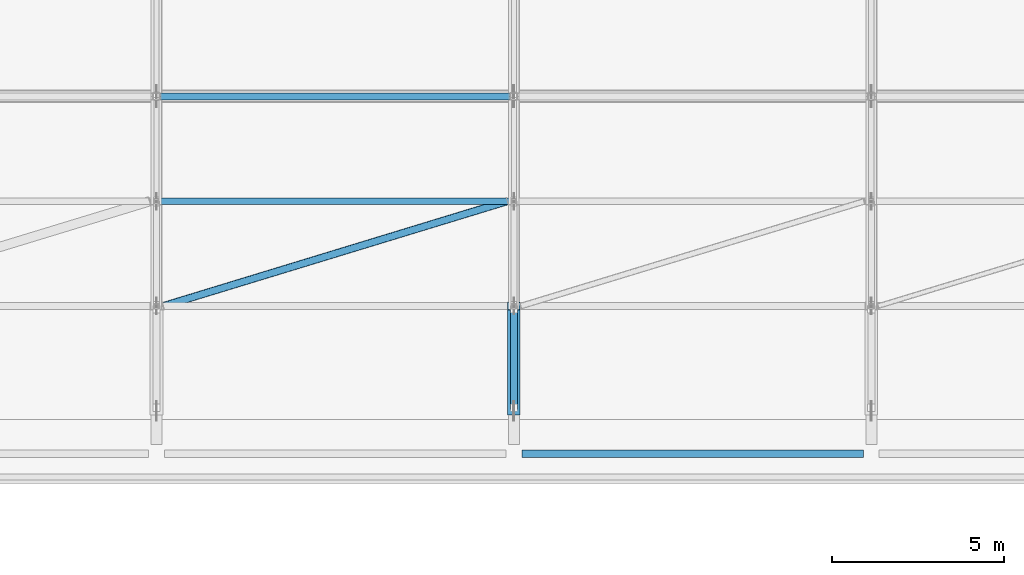
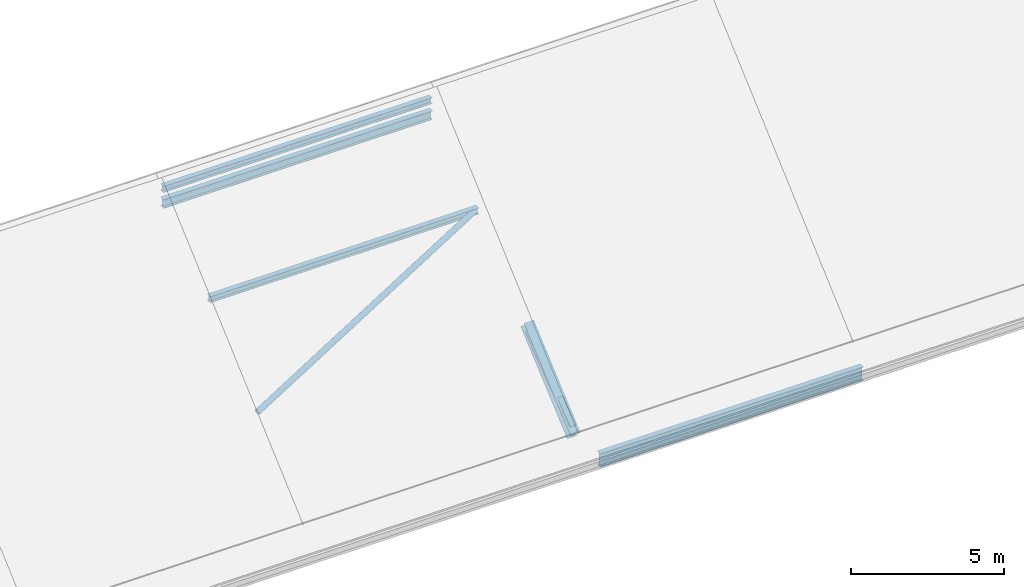
# One storey, part 21 of 86: 4 members, 3 beams.
"""IFC4 building model written with IfcOpenShell, lengths in metres."""

from ifc_helpers import new_model, si_unit, derived_unit, direction, frame, origin, origin_2d, place, context, subcontext, project, spatial, hollow_rectangle, hollow_circle, i_section, extrude, material, material_profile, profile_set, type_object, element, save


model = new_model("IFC4")

# Units and contexts
model_context = context("Model", 3, precision=1e-05, world=origin(), true_north=direction((0.0, 1.0)))
body_context = subcontext(model_context, "Body", "Model", "MODEL_VIEW")
ifc_project = project(units=[si_unit("LENGTHUNIT", "METRE"), si_unit("AREAUNIT", "SQUARE_METRE"), si_unit("VOLUMEUNIT", "CUBIC_METRE"), si_unit("PLANEANGLEUNIT", "RADIAN"), si_unit("MASSUNIT", "GRAM", prefix="KILO"), derived_unit("THERMALTRANSMITTANCEUNIT", [(si_unit("POWERUNIT", "WATT"), 1), (si_unit("LENGTHUNIT", "METRE"), -2), (si_unit("THERMODYNAMICTEMPERATUREUNIT", "KELVIN"), -1)])], contexts=[model_context])

# Site, building, storey
site_placement = place(None, origin())
site = spatial("IfcSite", under=ifc_project, at=site_placement, CompositionType="ELEMENT")
building_placement = place(site_placement, origin())
building = spatial("IfcBuilding", under=site, at=building_placement, Name="Braskholm Square Health Centre", CompositionType="ELEMENT")
storey_placement = place(building_placement, frame((0.0, 0.0, 13.5)))
storey = spatial("IfcBuildingStorey", under=building, at=storey_placement, Name="L04", CompositionType="ELEMENT", Elevation=13.5)

# Member
ifc_material_1 = material(Name="Steel ASTM A500 Grade C", Category="steel")
ifc_material_profile_1 = material_profile(ifc_material_1, hollow_circle(Radius=0.109619140625, WallThickness=0.0087890625, at=origin_2d()), Name="HSS8.625X0.375")
ifc_profile_set_1 = profile_set([ifc_material_profile_1], Name="Steel ASTM A500 Grade C")
member_type_1 = type_object("IfcMemberType", Name="RoofPlanBraceCHS219", PredefinedType="BRACE", material=ifc_profile_set_1)
member_1_placement = place(storey_placement, frame((89.39990234375, 91.5, 2.402099609375), z_axis=(0.925704815743, 0.282344488845, 0.251698596995), x_axis=(-0.291736758099, 0.956498648182, 0.0)))
element("IfcMember", 1, at=member_1_placement, inside=storey, type_object=member_type_1, Name="ROOF TRUSS slope brace South Bay 5", PredefinedType="BRACE", context=body_context, shape_type="SweptSolid", body=[
    extrude(hollow_circle(Radius=0.109619140625, WallThickness=0.0087890625, at=origin_2d()), origin(), (0.0, 0.0, 1.0), 10.802490234375),
])

# Beams
ifc_material_2 = material(Name="Steel ASTM A992 Grade 50", Category="steel")
ifc_material_profile_2 = material_profile(ifc_material_2, i_section(OverallWidth=0.201904296875, OverallDepth=0.2470703125, WebThickness=0.00732421875, FlangeThickness=0.010986328125, at=origin_2d()), Name="W10X33")
ifc_profile_set_2 = profile_set([ifc_material_profile_2], Name="Steel ASTM A992 Grade 50")
beam_type_1 = type_object("IfcBeamType", Name="RoofPurlinJoistW10X33", PredefinedType="JOIST", material=ifc_profile_set_2)
for number, where, z_axis, x_axis, name in (
    (2, (89.320068359375, 94.550048828125, 5.12109375), (1.0, 0.0, 0.0), (0.0, 1.0, 0.0), "ROOF TRUSS purlin joist 022"),
    (3, (89.320068359375, 97.60009765625, 7.679931640625), (1.0, 0.0, 0.0), (0.0, 1.0, 0.0), "ROOF TRUSS purlin joist 023"),
):
    element("IfcBeam", number, at=place(storey_placement, frame(where, z_axis=z_axis, x_axis=x_axis)), inside=storey, type_object=beam_type_1, Name=name, PredefinedType="JOIST", context=body_context, shape_type="SweptSolid", body=[
        extrude(i_section(OverallWidth=0.201904296875, OverallDepth=0.2470703125, WebThickness=0.00732421875, FlangeThickness=0.010986328125, at=origin_2d()), origin(), (0.0, 0.0, 1.0), 10.159912109375),
    ])
ifc_material_profile_3 = material_profile(ifc_material_2, i_section(OverallWidth=0.2119140625, OverallDepth=0.5439453125, WebThickness=0.01318359375, FlangeThickness=0.021240234375, at=origin_2d()), Name="W21X83")
ifc_profile_set_3 = profile_set([ifc_material_profile_3], Name="Steel ASTM A992 Grade 50")
beam_type_2 = type_object("IfcBeamType", Name="SteelGirderEaveW21X83", PredefinedType="BEAM", material=ifc_profile_set_3)
beam_placement = place(storey_placement, frame((99.830078125, 87.199951171875, -0.52197265625), z_axis=(1.0, 0.0, 0.0), x_axis=(0.0, 1.0, 0.0)))
element("IfcBeam", 4, at=beam_placement, inside=storey, type_object=beam_type_2, Name="Beam 13-14/N L04", PredefinedType="BEAM", context=body_context, shape_type="SweptSolid", body=[
    extrude(i_section(OverallWidth=0.2119140625, OverallDepth=0.5439453125, WebThickness=0.01318359375, FlangeThickness=0.021240234375, at=origin_2d()), origin(), (0.0, 0.0, 1.0), 9.93994140625),
])

# Members
ifc_material_profile_4 = material_profile(ifc_material_2, i_section(OverallWidth=0.2041015625, OverallDepth=0.35009765625, WebThickness=0.008544921875, FlangeThickness=0.01513671875, at=origin_2d()), Name="W14X48")
ifc_profile_set_4 = profile_set([ifc_material_profile_4], Name="Steel ASTM A992 Grade 50")
member_type_2 = type_object("IfcMemberType", Name="TrussBottomChordW14X48", PredefinedType="CHORD", material=ifc_profile_set_4)
member_2_placement = place(storey_placement, frame((89.320068359375, 97.60009765625, 7.10009765625), z_axis=(1.0, 0.0, 0.0), x_axis=(0.0, 1.0, 0.0)))
element("IfcMember", 5, at=member_2_placement, inside=storey, type_object=member_type_2, Name="ROOF TRUSS ridge tie strut Bay 5", PredefinedType="CHORD", context=body_context, shape_type="SweptSolid", body=[
    extrude(i_section(OverallWidth=0.2041015625, OverallDepth=0.35009765625, WebThickness=0.008544921875, FlangeThickness=0.01513671875, at=origin_2d()), origin(), (0.0, 0.0, 1.0), 10.159912109375),
])
ifc_material_profile_5 = material_profile(ifc_material_1, hollow_rectangle(XDim=0.203125, YDim=0.203125, WallThickness=0.01171875, at=origin_2d()), Name="HSS8X8X1/2")
ifc_profile_set_5 = profile_set([ifc_material_profile_5], Name="Steel ASTM A500 Grade C")
member_type_3 = type_object("IfcMemberType", Name="TrussOuterDiagHSS8X8X12", PredefinedType="BRACE", material=ifc_profile_set_5)
member_3_placement = place(storey_placement, frame((99.60009765625, 88.5458984375, 0.031005859375), z_axis=(0.0, 0.803191214474, 0.595721304799), x_axis=(-1.0, 0.0, 0.0)))
element("IfcMember", 6, at=member_3_placement, inside=storey, type_object=member_type_3, Name="ROOF TRUSS diagonal web TR-06-D1", PredefinedType="BRACE", context=body_context, shape_type="SweptSolid", body=[
    extrude(hollow_rectangle(XDim=0.203125, YDim=0.203125, WallThickness=0.01171875, at=origin_2d()), origin(), (0.0, 0.0, 1.0), 3.55859375),
])
ifc_material_profile_6 = material_profile(ifc_material_2, i_section(OverallWidth=0.368896484375, OverallDepth=0.35595703125, WebThickness=0.01123046875, FlangeThickness=0.01806640625, at=origin_2d()), Name="W14X90")
ifc_profile_set_6 = profile_set([ifc_material_profile_6], Name="Steel ASTM A992 Grade 50")
member_type_4 = type_object("IfcMemberType", Name="TrussTopChordW14X90", PredefinedType="CHORD", material=ifc_profile_set_6)
member_4_placement = place(storey_placement, frame((99.60009765625, 88.449951171875, -0.260009765625), z_axis=(0.0, 0.755846764348, 0.654748553892), x_axis=(-1.0, 0.0, 0.0)))
element("IfcMember", 7, at=member_4_placement, inside=storey, type_object=member_type_4, Name="ROOF TRUSS top chord TR-06-1", PredefinedType="CHORD", context=body_context, shape_type="SweptSolid", body=[
    extrude(i_section(OverallWidth=0.368896484375, OverallDepth=0.35595703125, WebThickness=0.01123046875, FlangeThickness=0.01806640625, at=origin_2d()), origin(), (0.0, 0.0, 1.0), 4.03515625),
])

save(model, "model.ifc")
